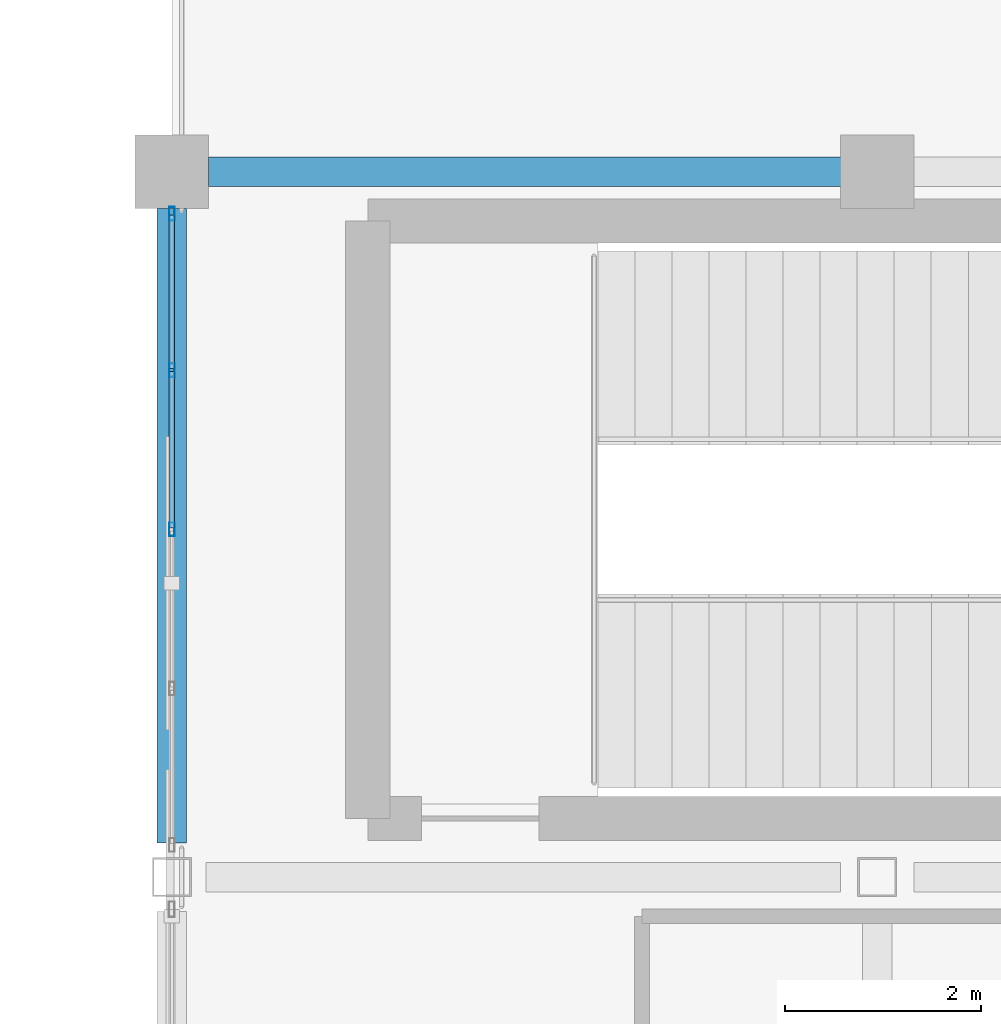
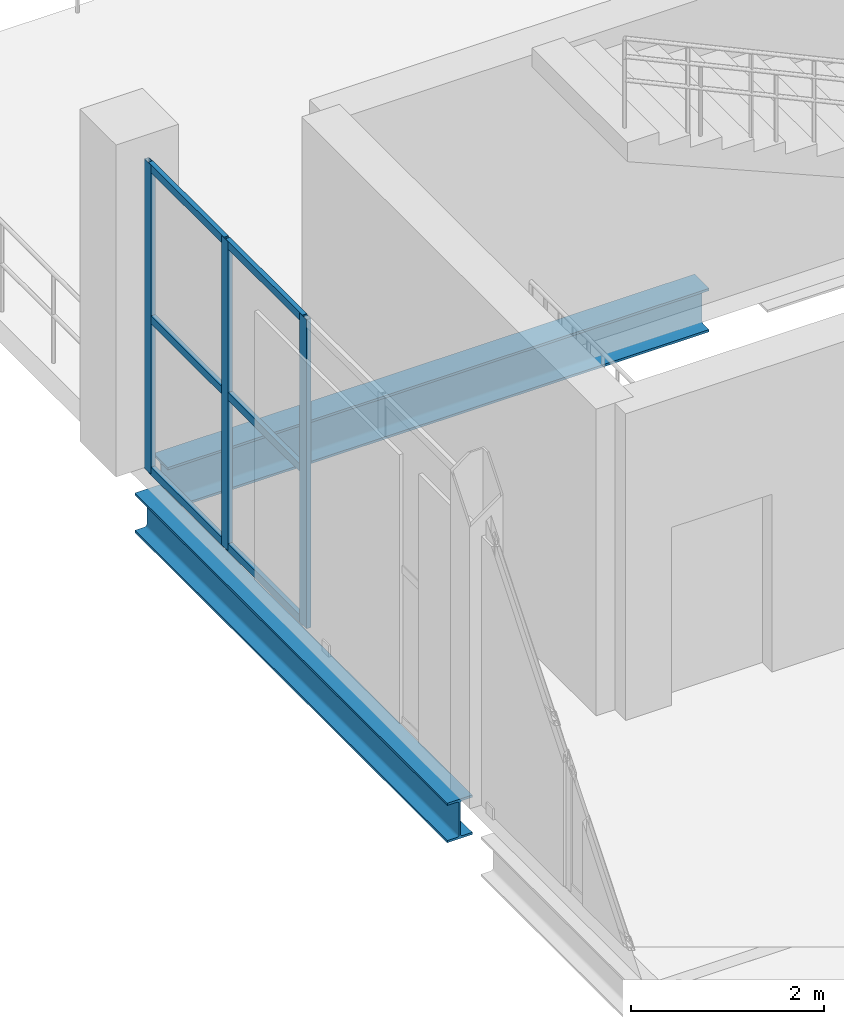
# One storey, part 77 of 130: 9 members, 2 beams, 1 element without a shape of its own.
"""IFC4 building model written with IfcOpenShell, lengths in metres."""

from ifc_helpers import new_model, si_unit, direction, frame, origin, origin_2d, place, context, subcontext, project, spatial, hollow_rectangle, i_section, extrude, material, material_profile, profile_set, type_object, element, aggregate, save


model = new_model("IFC4")

# Units and contexts
model_context = context("Model", 3, precision=1e-05, world=origin(), true_north=direction((0.0, 1.0)))
body_context = subcontext(model_context, "Body", "Model", "MODEL_VIEW")
ifc_project = project(units=[si_unit("LENGTHUNIT", "METRE"), si_unit("AREAUNIT", "SQUARE_METRE"), si_unit("VOLUMEUNIT", "CUBIC_METRE"), si_unit("PLANEANGLEUNIT", "RADIAN"), si_unit("MASSUNIT", "GRAM", prefix="KILO")], contexts=[model_context])

# Site, building, storey
site_placement = place(None, origin())
site = spatial("IfcSite", under=ifc_project, at=site_placement, CompositionType="ELEMENT")
building_placement = place(site_placement, origin())
building = spatial("IfcBuilding", under=site, at=building_placement, Name="Qandorah Velis Arena", CompositionType="ELEMENT")
storey_placement = place(building_placement, frame((0.0, 0.0, 9.60009765625)))
storey = spatial("IfcBuildingStorey", under=building, at=storey_placement, Name="L02", CompositionType="ELEMENT", Elevation=9.60009765625)

# Curtain wall, members
ifc_material_1 = material(Name="Solar-control low-E double glazing", Category="glass")
curtain_wall_type = type_object("IfcCurtainWallType", Name="ARC-CW-SYS08", PredefinedType="USERDEFINED", material=ifc_material_1)
curtain_wall_placement = place(storey_placement, origin())
curtain_wall = element("IfcCurtainWall", 1, at=curtain_wall_placement, inside=storey, type_object=curtain_wall_type, Name="Unitised curtain wall L02-128", ObjectType="UNITISED CURTAIN WALL", PredefinedType="USERDEFINED")
ifc_material_2 = material(Name="Champagne-bronze anodized aluminium 6063-T6", Category="aluminium")
ifc_material_profile_1 = material_profile(ifc_material_2, hollow_rectangle(XDim=0.054931640625, YDim=0.139892578125, WallThickness=0.0029296875, at=origin_2d()), Name="ALU MULLION 55x140")
ifc_profile_set_1 = profile_set([ifc_material_profile_1], Name="Champagne-bronze anodized aluminium 6063-T6")
member_type_1 = type_object("IfcMemberType", Name="ARC-CWM-140", PredefinedType="MULLION", material=ifc_profile_set_1)
member_1_placement = place(storey_placement, frame((151.199951171875, 82.75, -0.01513671875), z_axis=(0.0, 0.0, 1.0), x_axis=(-1.0, 0.0, 0.0)))
member_1 = element("IfcMember", 2, at=member_1_placement, type_object=member_type_1, Name="CW08 mullion 3", PredefinedType="MULLION", context=body_context, shape_type="SweptSolid", body=[
    extrude(hollow_rectangle(XDim=0.054931640625, YDim=0.139892578125, WallThickness=0.0029296875, at=origin_2d()), origin(), (0.0, 0.0, 1.0), 3.91015625),
])
member_2_placement = place(storey_placement, frame((151.199951171875, 84.375, -0.01513671875), z_axis=(0.0, 0.0, 1.0), x_axis=(-1.0, 0.0, 0.0)))
member_2 = element("IfcMember", 3, at=member_2_placement, type_object=member_type_1, Name="CW08 mullion 4", PredefinedType="MULLION", context=body_context, shape_type="SweptSolid", body=[
    extrude(hollow_rectangle(XDim=0.054931640625, YDim=0.139892578125, WallThickness=0.0029296875, at=origin_2d()), origin(), (0.0, 0.0, 1.0), 3.91015625),
])
member_3_placement = place(storey_placement, frame((151.199951171875, 85.972412109375, -0.01513671875), z_axis=(0.0, 0.0, 1.0), x_axis=(-1.0, 0.0, 0.0)))
member_3 = element("IfcMember", 4, at=member_3_placement, type_object=member_type_1, Name="CW08 mullion 5", PredefinedType="MULLION", context=body_context, shape_type="SweptSolid", body=[
    extrude(hollow_rectangle(XDim=0.054931640625, YDim=0.139892578125, WallThickness=0.0029296875, at=origin_2d()), origin(), (0.0, 0.0, 1.0), 3.91015625),
])
ifc_material_profile_2 = material_profile(ifc_material_2, hollow_rectangle(XDim=0.054931640625, YDim=0.10009765625, WallThickness=0.0029296875, at=origin_2d()), Name="ALU TRANSOM 55x100")
ifc_profile_set_2 = profile_set([ifc_material_profile_2], Name="Champagne-bronze anodized aluminium 6063-T6")
member_type_2 = type_object("IfcMemberType", Name="ARC-CWT-100", PredefinedType="USERDEFINED", material=ifc_profile_set_2)
member_4_placement = place(storey_placement, frame((151.199951171875, 82.765380859375, 0.02734375), z_axis=(0.0, 1.0, 0.0), x_axis=(-1.0, 0.0, 0.0)))
member_4 = element("IfcMember", 5, at=member_4_placement, type_object=member_type_2, Name="CW08 transom 3.1", ObjectType="TRANSOM", PredefinedType="USERDEFINED", context=body_context, shape_type="SweptSolid", body=[
    extrude(hollow_rectangle(XDim=0.054931640625, YDim=0.10009765625, WallThickness=0.0029296875, at=origin_2d()), origin(), (0.0, 0.0, 1.0), 1.59423828125),
])
member_5_placement = place(storey_placement, frame((151.199951171875, 82.765380859375, 1.93994140625), z_axis=(0.0, 1.0, 0.0), x_axis=(-1.0, 0.0, 0.0)))
member_5 = element("IfcMember", 6, at=member_5_placement, type_object=member_type_2, Name="CW08 transom 3.2", ObjectType="TRANSOM", PredefinedType="USERDEFINED", context=body_context, shape_type="SweptSolid", body=[
    extrude(hollow_rectangle(XDim=0.054931640625, YDim=0.10009765625, WallThickness=0.0029296875, at=origin_2d()), origin(), (0.0, 0.0, 1.0), 1.59423828125),
])
member_6_placement = place(storey_placement, frame((151.199951171875, 82.765380859375, 3.852294921875), z_axis=(0.0, 1.0, 0.0), x_axis=(-1.0, 0.0, 0.0)))
member_6 = element("IfcMember", 7, at=member_6_placement, type_object=member_type_2, Name="CW08 transom 3.3", ObjectType="TRANSOM", PredefinedType="USERDEFINED", context=body_context, shape_type="SweptSolid", body=[
    extrude(hollow_rectangle(XDim=0.054931640625, YDim=0.10009765625, WallThickness=0.0029296875, at=origin_2d()), origin(), (0.0, 0.0, 1.0), 1.59423828125),
])
member_7_placement = place(storey_placement, frame((151.199951171875, 84.390380859375, 0.02734375), z_axis=(0.0, 1.0, 0.0), x_axis=(-1.0, 0.0, 0.0)))
member_7 = element("IfcMember", 8, at=member_7_placement, type_object=member_type_2, Name="CW08 transom 4.1", ObjectType="TRANSOM", PredefinedType="USERDEFINED", context=body_context, shape_type="SweptSolid", body=[
    extrude(hollow_rectangle(XDim=0.054931640625, YDim=0.10009765625, WallThickness=0.0029296875, at=origin_2d()), origin(), (0.0, 0.0, 1.0), 1.566650390625),
])
member_8_placement = place(storey_placement, frame((151.199951171875, 84.390380859375, 1.93994140625), z_axis=(0.0, 1.0, 0.0), x_axis=(-1.0, 0.0, 0.0)))
member_8 = element("IfcMember", 9, at=member_8_placement, type_object=member_type_2, Name="CW08 transom 4.2", ObjectType="TRANSOM", PredefinedType="USERDEFINED", context=body_context, shape_type="SweptSolid", body=[
    extrude(hollow_rectangle(XDim=0.054931640625, YDim=0.10009765625, WallThickness=0.0029296875, at=origin_2d()), origin(), (0.0, 0.0, 1.0), 1.566650390625),
])
member_9_placement = place(storey_placement, frame((151.199951171875, 84.390380859375, 3.852294921875), z_axis=(0.0, 1.0, 0.0), x_axis=(-1.0, 0.0, 0.0)))
member_9 = element("IfcMember", 10, at=member_9_placement, type_object=member_type_2, Name="CW08 transom 4.3", ObjectType="TRANSOM", PredefinedType="USERDEFINED", context=body_context, shape_type="SweptSolid", body=[
    extrude(hollow_rectangle(XDim=0.054931640625, YDim=0.10009765625, WallThickness=0.0029296875, at=origin_2d()), origin(), (0.0, 0.0, 1.0), 1.566650390625),
])
aggregate(curtain_wall, [member_1, member_2, member_3, member_4, member_5, member_6, member_7, member_8, member_9])

# Beams
ifc_material_3 = material(Name="Steel S355", Category="steel")
ifc_material_profile_3 = material_profile(ifc_material_3, i_section(OverallWidth=0.300048828125, OverallDepth=0.5, WebThickness=0.014404296875, FlangeThickness=0.028076171875, FilletRadius=0.027099609375, at=origin_2d()), Name="HEB 500")
ifc_profile_set_3 = profile_set([ifc_material_profile_3], Name="Steel S355")
beam_type_1 = type_object("IfcBeamType", Name="STR-BM-HEB500", PredefinedType="BEAM", material=ifc_profile_set_3)
beam_1_placement = place(storey_placement, frame((151.199951171875, 79.550048828125, -0.530029296875), z_axis=(0.0, 1.0, 0.0), x_axis=(-1.0, 0.0, 0.0)))
element("IfcBeam", 11, at=beam_1_placement, inside=storey, type_object=beam_type_1, Name="Primary floor girder L02 Y-337", PredefinedType="BEAM", context=body_context, shape_type="SweptSolid", body=[
    extrude(i_section(OverallWidth=0.300048828125, OverallDepth=0.5, WebThickness=0.014404296875, FlangeThickness=0.028076171875, FilletRadius=0.027099609375, at=origin_2d()), origin(), (0.0, 0.0, 1.0), 6.474853515625),
])
ifc_material_profile_4 = material_profile(ifc_material_3, i_section(OverallWidth=0.300048828125, OverallDepth=0.550048828125, WebThickness=0.014892578125, FlangeThickness=0.029052734375, FilletRadius=0.027099609375, at=origin_2d()), Name="HEB 550")
ifc_profile_set_4 = profile_set([ifc_material_profile_4], Name="Steel S355")
beam_type_2 = type_object("IfcBeamType", Name="STR-BM-HEB550", PredefinedType="BEAM", material=ifc_profile_set_4)
beam_2_placement = place(storey_placement, frame((151.574951171875, 86.39990234375, -0.55517578125), z_axis=(1.0, 0.0, 0.0), x_axis=(0.0, 1.0, 0.0)))
element("IfcBeam", 12, at=beam_2_placement, inside=storey, type_object=beam_type_2, Name="Primary floor girder L02 X-114", PredefinedType="BEAM", context=body_context, shape_type="SweptSolid", body=[
    extrude(i_section(OverallWidth=0.300048828125, OverallDepth=0.550048828125, WebThickness=0.014892578125, FlangeThickness=0.029052734375, FilletRadius=0.027099609375, at=origin_2d()), origin(), (0.0, 0.0, 1.0), 6.47509765625),
])

save(model, "model.ifc")
